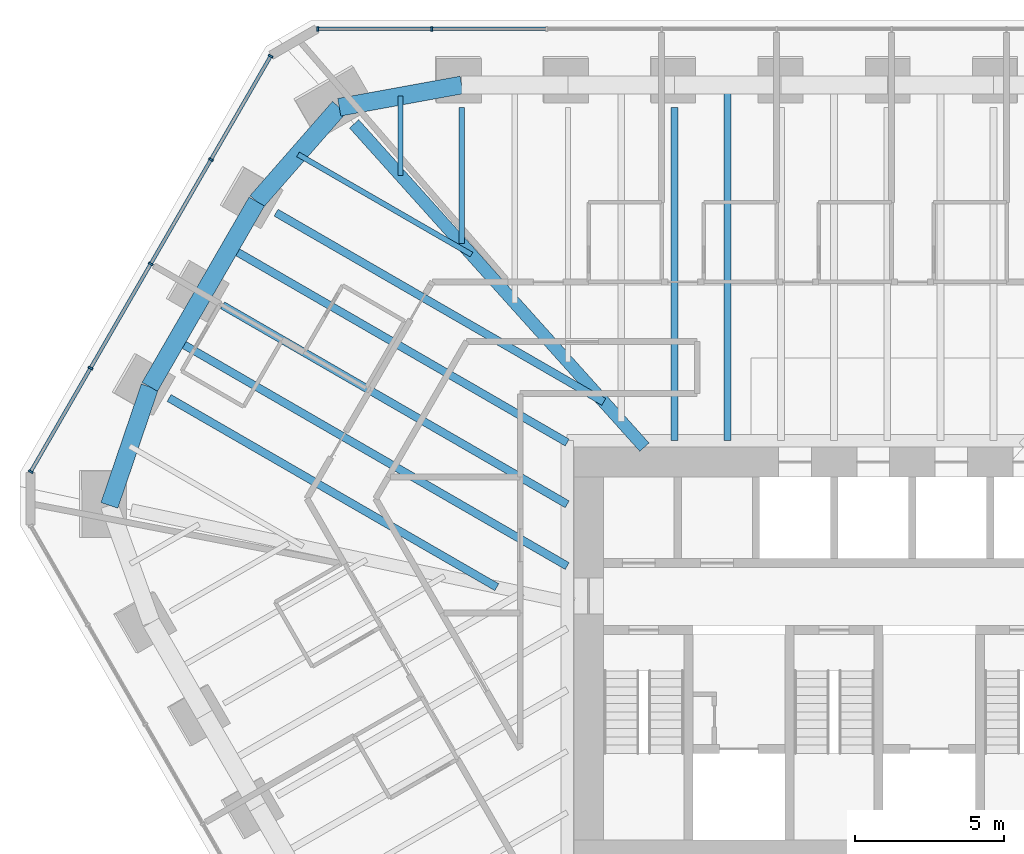
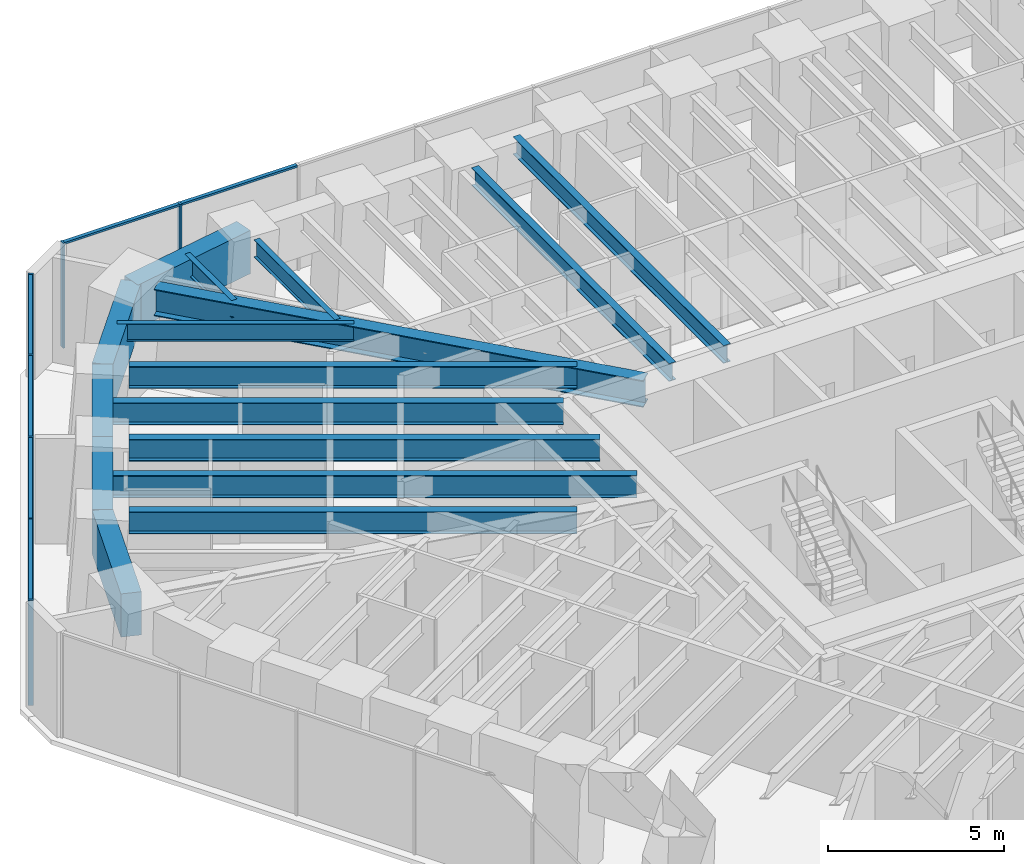
# One storey, part 7 of 17: 16 beams, 13 members, 2 elements without a shape of their own.
"""IFC4 building model written with IfcOpenShell, lengths in metres."""

from ifc_helpers import new_model, si_unit, direction, frame, origin, origin_2d, place, context, subcontext, project, spatial, rectangle, i_section, extrude, material, material_profile, profile_set, type_object, element, aggregate, save


model = new_model("IFC4")

# Units and contexts
model_context = context("Model", 3, precision=1e-05, world=origin(), true_north=direction((0.0, 1.0)))
body_context = subcontext(model_context, "Body", "Model", "MODEL_VIEW")
ifc_project = project(units=[si_unit("LENGTHUNIT", "METRE"), si_unit("AREAUNIT", "SQUARE_METRE"), si_unit("VOLUMEUNIT", "CUBIC_METRE"), si_unit("PLANEANGLEUNIT", "RADIAN"), si_unit("MASSUNIT", "GRAM", prefix="KILO")], contexts=[model_context])

# Site, building, storey
site_placement = place(None, origin())
site = spatial("IfcSite", under=ifc_project, at=site_placement, CompositionType="ELEMENT")
building_placement = place(site_placement, origin())
building = spatial("IfcBuilding", under=site, at=building_placement, Name="Sandreach Pilgrim Tower", CompositionType="ELEMENT")
storey_placement = place(building_placement, frame((0.0, 0.0, 240.199951171875)))
storey = spatial("IfcBuildingStorey", under=building, at=storey_placement, Name="L60", CompositionType="ELEMENT", Elevation=240.199951171875)

# Curtain wall, members
ifc_material_1 = material(Name="Aluminium framed curtain wall", Category="aluminium")
curtain_wall_type = type_object("IfcCurtainWallType", Name="Upper hotel tower curtain wall", PredefinedType="NOTDEFINED", material=ifc_material_1)
curtain_wall_1_placement = place(storey_placement, origin())
curtain_wall_1 = element("IfcCurtainWall", 1, at=curtain_wall_1_placement, inside=storey, type_object=curtain_wall_type, Name="CW-3 L60 N", PredefinedType="NOTDEFINED")
ifc_material_2 = material(Name="Aluminium extrusion", Category="aluminium")
ifc_material_profile_1 = material_profile(ifc_material_2, rectangle(XDim=0.06494140625, YDim=0.159912109375, at=origin_2d()), Name="CW-3M 65X160")
ifc_profile_set_1 = profile_set([ifc_material_profile_1], Name="Aluminium extrusion")
member_type_1 = type_object("IfcMemberType", Name="CW-3 mullion", PredefinedType="MULLION", material=ifc_profile_set_1)
member_1_placement = place(storey_placement, frame((-17.357421875, 21.16015625, 0.0), z_axis=(0.0, 0.0, 1.0), x_axis=(1.0, 0.0, 0.0)))
member_1 = element("IfcMember", 2, at=member_1_placement, type_object=member_type_1, Name="CW-3 mullion 1", PredefinedType="MULLION", context=body_context, shape_type="SweptSolid", body=[
    extrude(rectangle(XDim=0.06494140625, YDim=0.159912109375, at=origin_2d()), origin(), (0.0, 0.0, 1.0), 3.64013671875),
])
member_2_placement = place(storey_placement, frame((-13.525390625, 21.16015625, 0.0), z_axis=(0.0, 0.0, 1.0), x_axis=(1.0, 0.0, 0.0)))
member_2 = element("IfcMember", 3, at=member_2_placement, type_object=member_type_1, Name="CW-3 mullion 2", PredefinedType="MULLION", context=body_context, shape_type="SweptSolid", body=[
    extrude(rectangle(XDim=0.06494140625, YDim=0.159912109375, at=origin_2d()), origin(), (0.0, 0.0, 1.0), 3.64013671875),
])

curtain_wall_2_placement = place(storey_placement, origin())
curtain_wall_2 = element("IfcCurtainWall", 4, at=curtain_wall_2_placement, inside=storey, type_object=curtain_wall_type, Name="CW-3 L60 NW", PredefinedType="NOTDEFINED")
member_3_placement = place(storey_placement, frame((-27.00390625, 6.278076171875, 0.0), z_axis=(0.0, 0.0, 1.0), x_axis=(0.5, 0.866025403784, 0.0)))
member_3 = element("IfcMember", 5, at=member_3_placement, type_object=member_type_1, Name="CW-3 mullion 1", PredefinedType="MULLION", context=body_context, shape_type="SweptSolid", body=[
    extrude(rectangle(XDim=0.06494140625, YDim=0.159912109375, at=origin_2d()), origin(), (0.0, 0.0, 1.0), 3.64013671875),
])
member_4_placement = place(storey_placement, frame((-24.995849609375, 9.75634765625, 0.0), z_axis=(0.0, 0.0, 1.0), x_axis=(0.5, 0.866025403784, 0.0)))
member_4 = element("IfcMember", 6, at=member_4_placement, type_object=member_type_1, Name="CW-3 mullion 2", PredefinedType="MULLION", context=body_context, shape_type="SweptSolid", body=[
    extrude(rectangle(XDim=0.06494140625, YDim=0.159912109375, at=origin_2d()), origin(), (0.0, 0.0, 1.0), 3.64013671875),
])
member_5_placement = place(storey_placement, frame((-22.971435546875, 13.262451171875, 0.0), z_axis=(0.0, 0.0, 1.0), x_axis=(0.5, 0.866025403784, 0.0)))
member_5 = element("IfcMember", 7, at=member_5_placement, type_object=member_type_1, Name="CW-3 mullion 3", PredefinedType="MULLION", context=body_context, shape_type="SweptSolid", body=[
    extrude(rectangle(XDim=0.06494140625, YDim=0.159912109375, at=origin_2d()), origin(), (0.0, 0.0, 1.0), 3.64013671875),
])
member_6_placement = place(storey_placement, frame((-20.947021484375, 16.768798828125, 0.0), z_axis=(0.0, 0.0, 1.0), x_axis=(0.5, 0.866025403784, 0.0)))
member_6 = element("IfcMember", 8, at=member_6_placement, type_object=member_type_1, Name="CW-3 mullion 4", PredefinedType="MULLION", context=body_context, shape_type="SweptSolid", body=[
    extrude(rectangle(XDim=0.06494140625, YDim=0.159912109375, at=origin_2d()), origin(), (0.0, 0.0, 1.0), 3.64013671875),
])
member_7_placement = place(storey_placement, frame((-18.93896484375, 20.2470703125, 0.0), z_axis=(0.0, 0.0, 1.0), x_axis=(0.5, 0.866025403784, 0.0)))
member_7 = element("IfcMember", 9, at=member_7_placement, type_object=member_type_1, Name="CW-3 mullion 5", PredefinedType="MULLION", context=body_context, shape_type="SweptSolid", body=[
    extrude(rectangle(XDim=0.06494140625, YDim=0.159912109375, at=origin_2d()), origin(), (0.0, 0.0, 1.0), 3.64013671875),
])

# Member
ifc_material_3 = material(Name="Aluminium extrusion", Category="aluminium")
ifc_material_profile_2 = material_profile(ifc_material_3, rectangle(XDim=0.1201171875, YDim=0.070068359375, at=origin_2d()), Name="CW-3T 120X70")
ifc_profile_set_2 = profile_set([ifc_material_profile_2], Name="Aluminium extrusion")
member_type_2 = type_object("IfcMemberType", Name="CW-3 transom", PredefinedType="USERDEFINED", material=ifc_profile_set_2)
member_8_placement = place(storey_placement, frame((-17.324951171875, 21.16015625, 3.60498046875), z_axis=(1.0, 0.0, 0.0), x_axis=(0.0, 1.0, 0.0)))
member_8 = element("IfcMember", 10, at=member_8_placement, type_object=member_type_2, Name="CW-3 head transom 1", ObjectType="TRANSOM", PredefinedType="USERDEFINED", context=body_context, shape_type="SweptSolid", body=[
    extrude(rectangle(XDim=0.1201171875, YDim=0.070068359375, at=origin_2d()), origin(), (0.0, 0.0, 1.0), 3.76708984375),
])

member_9_placement = place(storey_placement, frame((-13.492919921875, 21.16015625, 3.60498046875), z_axis=(1.0, 0.0, 0.0), x_axis=(0.0, 1.0, 0.0)))
member_9 = element("IfcMember", 11, at=member_9_placement, type_object=member_type_2, Name="CW-3 head transom 2", ObjectType="TRANSOM", PredefinedType="USERDEFINED", context=body_context, shape_type="SweptSolid", body=[
    extrude(rectangle(XDim=0.1201171875, YDim=0.070068359375, at=origin_2d()), origin(), (0.0, 0.0, 1.0), 3.79931640625),
])

aggregate(curtain_wall_1, [member_1, member_2, member_8, member_9])

member_10_placement = place(storey_placement, frame((-26.987548828125, 6.306396484375, 3.60498046875), z_axis=(0.499993448556, 0.866029186229, 0.0), x_axis=(-0.866029186229, 0.499993448556, 0.0)))
member_10 = element("IfcMember", 12, at=member_10_placement, type_object=member_type_2, Name="CW-3 head transom 1", ObjectType="TRANSOM", PredefinedType="USERDEFINED", context=body_context, shape_type="SweptSolid", body=[
    extrude(rectangle(XDim=0.1201171875, YDim=0.070068359375, at=origin_2d()), origin(), (0.0, 0.0, 1.0), 3.951171875),
])

member_11_placement = place(storey_placement, frame((-24.9794921875, 9.784423828125, 3.60498046875), z_axis=(0.499975332564, 0.866039645067, 0.0), x_axis=(-0.866039645067, 0.499975332564, 0.0)))
member_11 = element("IfcMember", 13, at=member_11_placement, type_object=member_type_2, Name="CW-3 head transom 2", ObjectType="TRANSOM", PredefinedType="USERDEFINED", context=body_context, shape_type="SweptSolid", body=[
    extrude(rectangle(XDim=0.1201171875, YDim=0.070068359375, at=origin_2d()), origin(), (0.0, 0.0, 1.0), 3.983642578125),
])

member_12_placement = place(storey_placement, frame((-22.955078125, 13.290771484375, 3.60498046875), z_axis=(0.499975332564, 0.866039645067, 0.0), x_axis=(-0.866039645067, 0.499975332564, 0.0)))
member_12 = element("IfcMember", 14, at=member_12_placement, type_object=member_type_2, Name="CW-3 head transom 3", ObjectType="TRANSOM", PredefinedType="USERDEFINED", context=body_context, shape_type="SweptSolid", body=[
    extrude(rectangle(XDim=0.1201171875, YDim=0.070068359375, at=origin_2d()), origin(), (0.0, 0.0, 1.0), 3.983642578125),
])

member_13_placement = place(storey_placement, frame((-20.930908203125, 16.796875, 3.60498046875), z_axis=(0.499993448556, 0.866029186229, 0.0), x_axis=(-0.866029186229, 0.499993448556, 0.0)))
member_13 = element("IfcMember", 15, at=member_13_placement, type_object=member_type_2, Name="CW-3 head transom 4", ObjectType="TRANSOM", PredefinedType="USERDEFINED", context=body_context, shape_type="SweptSolid", body=[
    extrude(rectangle(XDim=0.1201171875, YDim=0.070068359375, at=origin_2d()), origin(), (0.0, 0.0, 1.0), 3.951171875),
])

aggregate(curtain_wall_2, [member_3, member_4, member_5, member_6, member_7, member_10, member_11, member_12, member_13])

# Beams
ifc_material_4 = material(Name="Steel ASTM A992 Grade 50", Category="steel")
ifc_material_profile_3 = material_profile(ifc_material_4, i_section(OverallWidth=0.419189453125, OverallDepth=0.927001953125, WebThickness=0.019287109375, FlangeThickness=0.031982421875, at=origin_2d()), Name="W36X231")
ifc_profile_set_3 = profile_set([ifc_material_profile_3], Name="Steel ASTM A992 Grade 50")
beam_type_1 = type_object("IfcBeamType", Name="Corner girder W36X231", PredefinedType="BEAM", material=ifc_profile_set_3)
beam_1_placement = place(storey_placement, frame((-16.13427734375, 17.96826171875, 3.176513671875), z_axis=(0.668111021474, -0.744061598918, 0.0), x_axis=(0.744061598918, 0.668111021474, 0.0)))
element("IfcBeam", 16, at=beam_1_placement, inside=storey, type_object=beam_type_1, Name="BM L60 CG39", PredefinedType="BEAM", context=body_context, shape_type="SweptSolid", body=[
    extrude(i_section(OverallWidth=0.419189453125, OverallDepth=0.927001953125, WebThickness=0.019287109375, FlangeThickness=0.031982421875, at=origin_2d()), origin(), (0.0, 0.0, 1.0), 14.6064453125),
])
ifc_material_5 = material(Name="Steel ASTM A992 Grade 50", Category="steel")
ifc_material_profile_4 = material_profile(ifc_material_5, i_section(OverallWidth=0.1787109375, OverallDepth=0.60205078125, WebThickness=0.010986328125, FlangeThickness=0.014892578125, at=origin_2d()), Name="W24X62")
ifc_profile_set_4 = profile_set([ifc_material_profile_4], Name="Steel ASTM A992 Grade 50")
beam_type_2 = type_object("IfcBeamType", Name="Floor beam W24X62", PredefinedType="BEAM", material=ifc_profile_set_4)
beam_2_placement = place(storey_placement, frame((-12.51904296875, 18.527099609375, 3.339111328125), z_axis=(0.0, -1.0, 0.0), x_axis=(1.0, 0.0, 0.0)))
element("IfcBeam", 17, at=beam_2_placement, inside=storey, type_object=beam_type_2, Name="BM L60 F01", PredefinedType="BEAM", context=body_context, shape_type="SweptSolid", body=[
    extrude(i_section(OverallWidth=0.1787109375, OverallDepth=0.60205078125, WebThickness=0.010986328125, FlangeThickness=0.014892578125, at=origin_2d()), origin(), (0.0, 0.0, 1.0), 4.585205078125),
])
beam_3_placement = place(storey_placement, frame((-18.021484375, 16.94189453125, 3.339111328125), z_axis=(0.866008104495, -0.500029962051, 0.0), x_axis=(0.500029962051, 0.866008104495, 0.0)))
element("IfcBeam", 18, at=beam_3_placement, inside=storey, type_object=beam_type_2, Name="BM L60 FM38", PredefinedType="BEAM", context=body_context, shape_type="SweptSolid", body=[
    extrude(i_section(OverallWidth=0.1787109375, OverallDepth=0.60205078125, WebThickness=0.010986328125, FlangeThickness=0.014892578125, at=origin_2d()), origin(), (0.0, 0.0, 1.0), 6.73486328125),
])
beam_4_placement = place(storey_placement, frame((-14.5771484375, 18.901611328125, 3.339111328125), z_axis=(0.0, -1.0, 0.0), x_axis=(1.0, 0.0, 0.0)))
element("IfcBeam", 19, at=beam_4_placement, inside=storey, type_object=beam_type_2, Name="BM L60 FM39", PredefinedType="BEAM", context=body_context, shape_type="SweptSolid", body=[
    extrude(i_section(OverallWidth=0.1787109375, OverallDepth=0.60205078125, WebThickness=0.010986328125, FlangeThickness=0.014892578125, at=origin_2d()), origin(), (0.0, 0.0, 1.0), 2.66748046875),
])
ifc_material_6 = material(Name="Steel ASTM A992 Grade 50", Category="steel")
ifc_material_profile_5 = material_profile(ifc_material_6, i_section(OverallWidth=0.23046875, OverallDepth=0.6171875, WebThickness=0.01318359375, FlangeThickness=0.022216796875, at=origin_2d()), Name="W24X94")
ifc_profile_set_5 = profile_set([ifc_material_profile_5], Name="Steel ASTM A992 Grade 50")
beam_type_3 = type_object("IfcBeamType", Name="Floor beam W24X94", PredefinedType="BEAM", material=ifc_profile_set_5)
beam_5_placement = place(storey_placement, frame((-5.365234375, 18.527099609375, 3.33154296875), z_axis=(0.0, -1.0, 0.0), x_axis=(1.0, 0.0, 0.0)))
element("IfcBeam", 20, at=beam_5_placement, inside=storey, type_object=beam_type_3, Name="BM L60 F03", PredefinedType="BEAM", context=body_context, shape_type="SweptSolid", body=[
    extrude(i_section(OverallWidth=0.23046875, OverallDepth=0.6171875, WebThickness=0.01318359375, FlangeThickness=0.022216796875, at=origin_2d()), origin(), (0.0, 0.0, 1.0), 11.205078125),
])
beam_6_placement = place(storey_placement, frame((-3.576904296875, 19.277099609375, 3.33154296875), z_axis=(0.0, -1.0, 0.0), x_axis=(1.0, 0.0, 0.0)))
element("IfcBeam", 21, at=beam_6_placement, inside=storey, type_object=beam_type_3, Name="BM L60 FM03", PredefinedType="BEAM", context=body_context, shape_type="SweptSolid", body=[
    extrude(i_section(OverallWidth=0.23046875, OverallDepth=0.6171875, WebThickness=0.01318359375, FlangeThickness=0.022216796875, at=origin_2d()), origin(), (0.0, 0.0, 1.0), 11.955078125),
])
ifc_material_7 = material(Name="Steel ASTM A992 Grade 50", Category="steel")
ifc_material_profile_6 = material_profile(ifc_material_7, i_section(OverallWidth=0.2666015625, OverallDepth=0.761962890625, WebThickness=0.014404296875, FlangeThickness=0.021484375, at=origin_2d()), Name="W30X116")
ifc_profile_set_6 = profile_set([ifc_material_profile_6], Name="Steel ASTM A992 Grade 50")
beam_type_4 = type_object("IfcBeamType", Name="Floor beam W30X116", PredefinedType="BEAM", material=ifc_profile_set_6)
beam_7_placement = place(storey_placement, frame((-22.354248046875, 8.75390625, 3.259033203125), z_axis=(0.866022258038, -0.500005448553, 0.0), x_axis=(0.500005448553, 0.866022258038, 0.0)))
element("IfcBeam", 22, at=beam_7_placement, inside=storey, type_object=beam_type_4, Name="BM L60 F36", PredefinedType="BEAM", context=body_context, shape_type="SweptSolid", body=[
    extrude(i_section(OverallWidth=0.2666015625, OverallDepth=0.761962890625, WebThickness=0.014404296875, FlangeThickness=0.021484375, at=origin_2d()), origin(), (0.0, 0.0, 1.0), 12.719970703125),
])
beam_8_placement = place(storey_placement, frame((-20.55615234375, 11.8681640625, 3.259033203125), z_axis=(0.866018413782, -0.500012106844, 0.0), x_axis=(0.500012106844, 0.866018413782, 0.0)))
element("IfcBeam", 23, at=beam_8_placement, inside=storey, type_object=beam_type_4, Name="BM L60 F37", PredefinedType="BEAM", context=body_context, shape_type="SweptSolid", body=[
    extrude(i_section(OverallWidth=0.2666015625, OverallDepth=0.761962890625, WebThickness=0.014404296875, FlangeThickness=0.021484375, at=origin_2d()), origin(), (0.0, 0.0, 1.0), 13.376220703125),
])
beam_9_placement = place(storey_placement, frame((-18.75830078125, 14.982421875, 3.259033203125), z_axis=(0.866022258038, -0.500005448553, 0.0), x_axis=(0.500005448553, 0.866022258038, 0.0)))
element("IfcBeam", 24, at=beam_9_placement, inside=storey, type_object=beam_type_4, Name="BM L60 F38", PredefinedType="BEAM", context=body_context, shape_type="SweptSolid", body=[
    extrude(i_section(OverallWidth=0.2666015625, OverallDepth=0.761962890625, WebThickness=0.014404296875, FlangeThickness=0.021484375, at=origin_2d()), origin(), (0.0, 0.0, 1.0), 12.719970703125),
])
beam_10_placement = place(storey_placement, frame((-20.306640625, 13.80029296875, 3.259033203125), z_axis=(0.866017840081, -0.50001310049, 0.0), x_axis=(0.50001310049, 0.866017840081, 0.0)))
element("IfcBeam", 25, at=beam_10_placement, inside=storey, type_object=beam_type_4, Name="BM L60 FM37", PredefinedType="BEAM", context=body_context, shape_type="SweptSolid", body=[
    extrude(i_section(OverallWidth=0.2666015625, OverallDepth=0.761962890625, WebThickness=0.014404296875, FlangeThickness=0.021484375, at=origin_2d()), origin(), (0.0, 0.0, 1.0), 13.088134765625),
])
ifc_material_8 = material(Name="Steel ASTM A992 Grade 50", Category="steel")
ifc_material_profile_7 = material_profile(ifc_material_8, i_section(OverallWidth=0.2666015625, OverallDepth=0.77978515625, WebThickness=0.0166015625, FlangeThickness=0.030029296875, at=origin_2d()), Name="W30X148")
ifc_profile_set_7 = profile_set([ifc_material_profile_7], Name="Steel ASTM A992 Grade 50")
beam_type_5 = type_object("IfcBeamType", Name="Floor beam W30X148", PredefinedType="BEAM", material=ifc_profile_set_7)
beam_11_placement = place(storey_placement, frame((-22.104736328125, 10.68603515625, 3.250244140625), z_axis=(0.866020163556, -0.500009076232, 0.0), x_axis=(0.500009076232, 0.866020163556, 0.0)))
element("IfcBeam", 26, at=beam_11_placement, inside=storey, type_object=beam_type_5, Name="BM L60 FM36", PredefinedType="BEAM", context=body_context, shape_type="SweptSolid", body=[
    extrude(i_section(OverallWidth=0.2666015625, OverallDepth=0.77978515625, WebThickness=0.0166015625, FlangeThickness=0.030029296875, at=origin_2d()), origin(), (0.0, 0.0, 1.0), 15.164306640625),
])
ifc_material_9 = material(Name="Concrete 10000 psi", Category="concrete")
ifc_material_profile_8 = material_profile(ifc_material_9, rectangle(XDim=0.60009765625, YDim=1.5, at=origin_2d()), Name="RC600X1500")
ifc_profile_set_8 = profile_set([ifc_material_profile_8], Name="Concrete 10000 psi")
beam_type_6 = type_object("IfcBeamType", Name="Spandrel beam RC600X1500", PredefinedType="SPANDREL", material=ifc_profile_set_8)
beam_12_placement = place(storey_placement, frame((-24.36181640625, 5.1435546875, 2.89013671875), z_axis=(0.322570030631, 0.946545601299, 0.0), x_axis=(-0.946545601299, 0.322570030631, 0.0)))
element("IfcBeam", 27, at=beam_12_placement, inside=storey, type_object=beam_type_6, Name="BM L60 SP35", PredefinedType="SPANDREL", context=body_context, shape_type="SweptSolid", body=[
    extrude(rectangle(XDim=0.60009765625, YDim=1.5, at=origin_2d()), origin(), (0.0, 0.0, 1.0), 4.21044921875),
])
beam_13_placement = place(storey_placement, frame((-23.003662109375, 9.12890625, 2.89013671875), z_axis=(0.499965372359, 0.866045395139, 0.0), x_axis=(-0.866045395139, 0.499965372359, 0.0)))
element("IfcBeam", 28, at=beam_13_placement, inside=storey, type_object=beam_type_6, Name="BM L60 SP36", PredefinedType="SPANDREL", context=body_context, shape_type="SweptSolid", body=[
    extrude(rectangle(XDim=0.60009765625, YDim=1.5, at=origin_2d()), origin(), (0.0, 0.0, 1.0), 3.595947265625),
])
beam_14_placement = place(storey_placement, frame((-21.205810546875, 12.2431640625, 2.89013671875), z_axis=(0.500016292001, 0.866015997389, 0.0), x_axis=(-0.866015997389, 0.500016292001, 0.0)))
element("IfcBeam", 29, at=beam_14_placement, inside=storey, type_object=beam_type_6, Name="BM L60 SP37", PredefinedType="SPANDREL", context=body_context, shape_type="SweptSolid", body=[
    extrude(rectangle(XDim=0.60009765625, YDim=1.5, at=origin_2d()), origin(), (0.0, 0.0, 1.0), 3.59619140625),
])
beam_15_placement = place(storey_placement, frame((-19.40771484375, 15.357421875, 2.89013671875), z_axis=(0.658422500943, 0.75264853036, 0.0), x_axis=(-0.75264853036, 0.658422500943, 0.0)))
element("IfcBeam", 30, at=beam_15_placement, inside=storey, type_object=beam_type_6, Name="BM L60 SP38", PredefinedType="SPANDREL", context=body_context, shape_type="SweptSolid", body=[
    extrude(rectangle(XDim=0.60009765625, YDim=1.5, at=origin_2d()), origin(), (0.0, 0.0, 1.0), 4.21044921875),
])
beam_16_placement = place(storey_placement, frame((-16.635498046875, 18.5263671875, 2.89013671875), z_axis=(0.983773613592, 0.17941426142, 0.0), x_axis=(-0.17941426142, 0.983773613592, 0.0)))
element("IfcBeam", 31, at=beam_16_placement, inside=storey, type_object=beam_type_6, Name="BM L60 SP39", PredefinedType="SPANDREL", context=body_context, shape_type="SweptSolid", body=[
    extrude(rectangle(XDim=0.60009765625, YDim=1.5, at=origin_2d()), origin(), (0.0, 0.0, 1.0), 4.184326171875),
])

save(model, "model.ifc")
